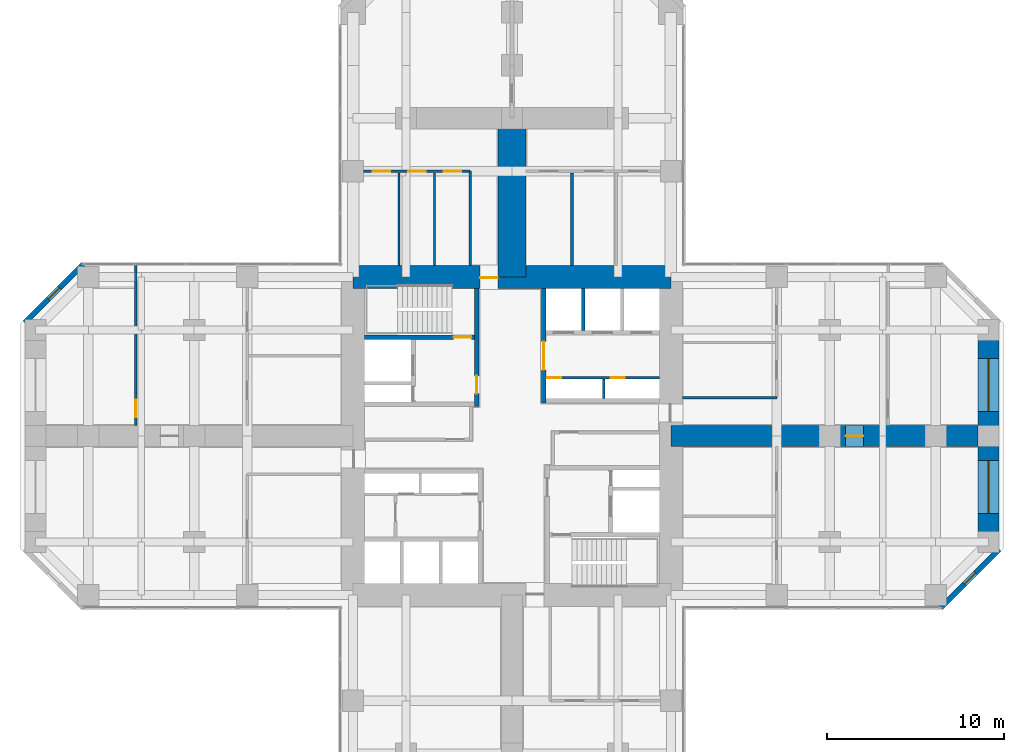
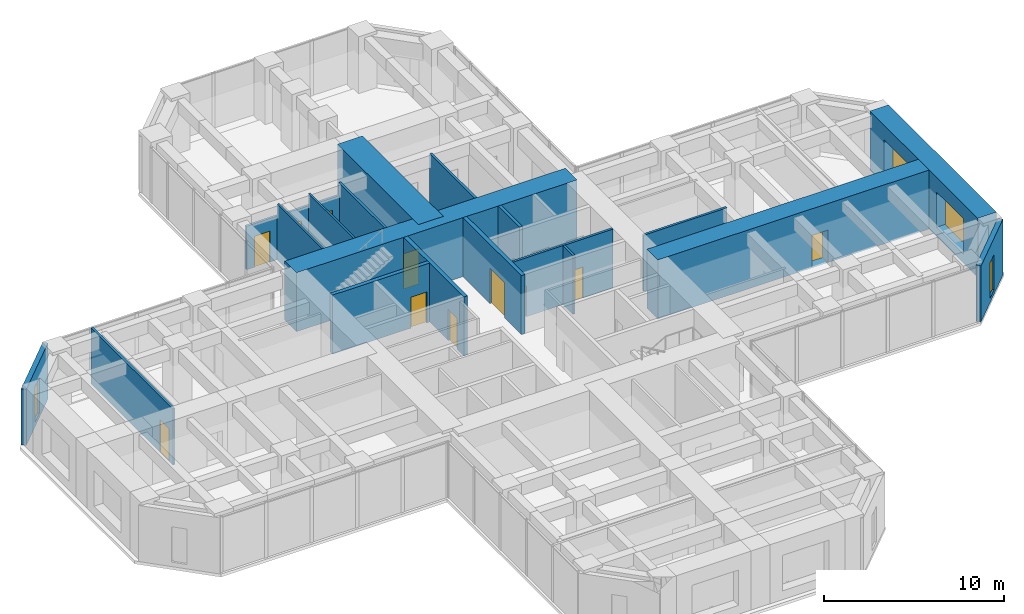
# One storey, part 10 of 12: 19 walls, 11 doors, 4 windows, 15 openings.
"""IFC4 building model written with IfcOpenShell, lengths in metres."""

from ifc_helpers import new_model, si_unit, direction, frame, frame_2d, origin, place, context, subcontext, project, spatial, rectangle, hollow_rectangle, extrude, material, layer, layer_set, constituent, constituent_set, type_object, element, fill, save


model = new_model("IFC4")

# Units and contexts
model_context = context("Model", 3, precision=1e-05, world=origin(), true_north=direction((0.0, 1.0)))
body_context = subcontext(model_context, "Body", "Model", "MODEL_VIEW")
ifc_project = project(units=[si_unit("LENGTHUNIT", "METRE"), si_unit("AREAUNIT", "SQUARE_METRE"), si_unit("VOLUMEUNIT", "CUBIC_METRE"), si_unit("PLANEANGLEUNIT", "RADIAN"), si_unit("MASSUNIT", "GRAM", prefix="KILO")], contexts=[model_context])

# Site, building, storey
site_placement = place(None, origin())
site = spatial("IfcSite", under=ifc_project, at=site_placement, CompositionType="ELEMENT")
building_placement = place(site_placement, origin())
building = spatial("IfcBuilding", under=site, at=building_placement, Name="Torre Cruceta", CompositionType="ELEMENT")
storey_placement = place(building_placement, frame((0.0, 0.0, 83.5)))
storey = spatial("IfcBuildingStorey", under=building, at=storey_placement, Name="L20", CompositionType="ELEMENT", Elevation=83.5)

# Wall, opening, door
ifc_material_1 = material(Name="Concrete G60 (fck 60 MPa)", Category="concrete")
ifc_layer_1 = layer(ifc_material_1, 0.25)
ifc_layer_set_1 = layer_set([ifc_layer_1], Name="Concrete G60 (fck 60 MPa)")
wall_type_1 = type_object("IfcWallType", Name="CORE INNER WALL 250 G60", PredefinedType="SHEAR", material=ifc_layer_set_1)
wall_1_placement = place(storey_placement, frame((1.800048828125, 1.875, 0.0), z_axis=(0.0, 0.0, 1.0), x_axis=(0.0, 1.0, 0.0)))
wall_1 = element("IfcWall", 1, at=wall_1_placement, inside=storey, type_object=wall_type_1, Name="CW4 L20 NE-CU", PredefinedType="SHEAR", context=body_context, shape_type="SweptSolid", body=[
    extrude(rectangle(XDim=6.47509765625, YDim=0.25, at=frame_2d((3.237548828125, 0.0))), origin(), (0.0, 0.0, 1.0), 4.0),
])
opening_1_placement = place(wall_1_placement, frame((1.875, 0.0, 0.0)))
opening_1 = element("IfcOpeningElement", 2, at=opening_1_placement, cuts=wall_1, Name="Opening D8", PredefinedType="OPENING", context=body_context, shape_type="SweptSolid", body=[
    extrude(rectangle(XDim=1.60009765625, YDim=2.39990234375, at=frame_2d((0.800048828125, 1.199951171875))), frame((0.0, 0.135009765625, 0.0), z_axis=(0.0, -1.0, 0.0), x_axis=(1.0, 0.0, 0.0)), (0.0, 0.0, 1.0), 0.27001953125),
])
ifc_material_2 = material(Name="Steel DX51D", Category="steel")
ifc_constituent_1 = constituent(ifc_material_2, Name="Leaf and frame")
ifc_material_3 = material(Name="Polyester powder coating", Category="paint")
ifc_constituent_2 = constituent(ifc_material_3, Name="Finish")
ifc_material_4 = material(Name="Fire-resisting glass", Category="glass")
ifc_constituent_3 = constituent(ifc_material_4, Name="Vision panel")
ifc_constituent_set_1 = constituent_set(constituents=[ifc_constituent_1, ifc_constituent_2, ifc_constituent_3], Name="Steel fire door with vision panels")
door_type_1 = type_object("IfcDoorType", Name="LIFT LOBBY DOUBLE DOOR 1600X2400", OperationType="DOUBLE_DOOR_DOUBLE_SWING", PredefinedType="DOOR", material=ifc_constituent_set_1)
door_1_placement = place(opening_1_placement, origin())
door_1 = element("IfcDoor", 3, at=door_1_placement, inside=storey, type_object=door_type_1, Name="D8 L20 NE-LOBBY", OperationType="DOUBLE_DOOR_DOUBLE_SWING", OverallHeight=2.39990234375, OverallWidth=1.60009765625, PredefinedType="DOOR", context=body_context, shape_type="SweptSolid", body=[
    extrude(rectangle(XDim=1.60009765625, YDim=2.39990234375, at=frame_2d((0.800048828125, 1.199951171875))), frame((0.0, 0.02490234375, 0.0), z_axis=(0.0, -1.0, 0.0), x_axis=(1.0, 0.0, 0.0)), (0.0, 0.0, 1.0), 0.050048828125),
])
fill(opening_1, door_1)

wall_2_placement = place(storey_placement, frame((-2.0, 1.675048828125, 0.0), z_axis=(0.0, 0.0, 1.0), x_axis=(0.0, 1.0, 0.0)))
wall_2 = element("IfcWall", 4, at=wall_2_placement, inside=storey, type_object=wall_type_1, Name="CW4 L20 NW-CU", PredefinedType="SHEAR", context=body_context, shape_type="SweptSolid", body=[
    extrude(rectangle(XDim=6.675048828125, YDim=0.25, at=frame_2d((3.33740234375, 0.0))), origin(), (0.0, 0.0, 1.0), 4.0),
])
opening_2_placement = place(wall_2_placement, frame((0.72509765625, 0.0, 0.0)))
opening_2 = element("IfcOpeningElement", 5, at=opening_2_placement, cuts=wall_2, Name="Opening D3", PredefinedType="OPENING", context=body_context, shape_type="SweptSolid", body=[
    extrude(rectangle(XDim=1.0, YDim=2.10009765625, at=frame_2d((0.5, 1.050048828125))), frame((0.0, 0.135009765625, 0.0), z_axis=(0.0, -1.0, 0.0), x_axis=(1.0, 0.0, 0.0)), (0.0, 0.0, 1.0), 0.27001953125),
])
ifc_material_5 = material(Name="Steel DX51D", Category="steel")
ifc_constituent_4 = constituent(ifc_material_5, Name="Leaf and frame")
ifc_material_6 = material(Name="Polyester powder coating", Category="paint")
ifc_constituent_5 = constituent(ifc_material_6, Name="Finish")
ifc_constituent_set_2 = constituent_set(constituents=[ifc_constituent_4, ifc_constituent_5], Name="Steel fire door")
door_type_2 = type_object("IfcDoorType", Name="FIRE DOOR 1000X2100", OperationType="SINGLE_SWING_LEFT", PredefinedType="DOOR", material=ifc_constituent_set_2)
door_2_placement = place(opening_2_placement, origin())
door_2 = element("IfcDoor", 6, at=door_2_placement, inside=storey, type_object=door_type_2, Name="D3 L20 NW-LOBBY", OperationType="SINGLE_SWING_LEFT", OverallHeight=2.10009765625, OverallWidth=1.0, PredefinedType="DOOR", context=body_context, shape_type="SweptSolid", body=[
    extrude(rectangle(XDim=1.0, YDim=2.10009765625, at=frame_2d((0.5, 1.050048828125))), frame((0.0, 0.02490234375, 0.0), z_axis=(0.0, -1.0, 0.0), x_axis=(1.0, 0.0, 0.0)), (0.0, 0.0, 1.0), 0.050048828125),
])
fill(opening_2, door_2)

wall_3_placement = place(storey_placement, frame((-2.125, 5.60009765625, 0.0), z_axis=(0.0, 0.0, 1.0), x_axis=(-1.0, 0.0, 0.0)))
wall_3 = element("IfcWall", 7, at=wall_3_placement, inside=storey, type_object=wall_type_1, Name="CW4 L20 NW-SV", PredefinedType="SHEAR", context=body_context, shape_type="SweptSolid", body=[
    extrude(rectangle(XDim=6.22509765625, YDim=0.25, at=frame_2d((3.112548828125, 0.0))), origin(), (0.0, 0.0, 1.0), 4.0),
])
opening_3_placement = place(wall_3_placement, frame((0.175048828125, 0.0, 0.0)))
opening_3 = element("IfcOpeningElement", 8, at=opening_3_placement, cuts=wall_3, Name="Opening D3", PredefinedType="OPENING", context=body_context, shape_type="SweptSolid", body=[
    extrude(rectangle(XDim=1.0, YDim=2.10009765625, at=frame_2d((0.5, 1.050048828125))), frame((0.0, 0.135009765625, 0.0), z_axis=(0.0, -1.0, 0.0), x_axis=(1.0, 0.0, 0.0)), (0.0, 0.0, 1.0), 0.27001953125),
])
door_3_placement = place(opening_3_placement, frame((1.0, 0.0, 0.0), z_axis=(0.0, 0.0, 1.0), x_axis=(-1.0, 0.0, 0.0)))
door_3 = element("IfcDoor", 9, at=door_3_placement, inside=storey, type_object=door_type_2, Name="D3 L20 NW-STAIR", OperationType="SINGLE_SWING_RIGHT", OverallHeight=2.10009765625, OverallWidth=1.0, PredefinedType="DOOR", context=body_context, shape_type="SweptSolid", body=[
    extrude(rectangle(XDim=1.0, YDim=2.10009765625, at=frame_2d((0.5, 1.050048828125))), frame((0.0, 0.025146484375, 0.0), z_axis=(0.0, -1.0, 0.0), x_axis=(1.0, 0.0, 0.0)), (0.0, 0.0, 1.0), 0.050048828125),
])
fill(opening_3, door_3)

ifc_material_7 = material(Name="Concrete G60 (fck 60 MPa)", Category="concrete")
ifc_layer_2 = layer(ifc_material_7, 1.300048828125)
ifc_layer_set_2 = layer_set([ifc_layer_2], Name="Concrete G60 (fck 60 MPa)")
wall_type_2 = type_object("IfcWallType", Name="CORE WALL 1300 G60", PredefinedType="SHEAR", material=ifc_layer_set_2)
wall_4_placement = place(storey_placement, frame((9.0, 9.0, 0.0), z_axis=(0.0, 0.0, 1.0), x_axis=(-1.0, 0.0, 0.0)))
wall_4 = element("IfcWall", 10, at=wall_4_placement, inside=storey, type_object=wall_type_2, Name="CW1 L20 CW-N", PredefinedType="SHEAR", context=body_context, shape_type="SweptSolid", body=[
    extrude(rectangle(XDim=18.0, YDim=1.300048828125, at=frame_2d((9.0, 0.0))), origin(), (0.0, 0.0, 1.0), 4.0),
])
opening_4_placement = place(wall_4_placement, frame((9.800048828125, 0.0, 0.0)))
opening_4 = element("IfcOpeningElement", 11, at=opening_4_placement, cuts=wall_4, Name="Opening D4", PredefinedType="OPENING", context=body_context, shape_type="SweptSolid", body=[
    extrude(rectangle(XDim=1.0, YDim=2.39990234375, at=frame_2d((0.5, 1.199951171875))), frame((0.0, 0.659912109375, 0.0), z_axis=(0.0, -1.0, 0.0), x_axis=(1.0, 0.0, 0.0)), (0.0, 0.0, 1.0), 1.320068359375),
])
ifc_material_8 = material(Name="Steel DX51D", Category="steel")
ifc_constituent_6 = constituent(ifc_material_8, Name="Leaf and frame")
ifc_material_9 = material(Name="Polyester powder coating", Category="paint")
ifc_constituent_7 = constituent(ifc_material_9, Name="Finish")
ifc_constituent_set_3 = constituent_set(constituents=[ifc_constituent_6, ifc_constituent_7], Name="Steel fire door")
door_type_3 = type_object("IfcDoorType", Name="CORE ARM DOOR 1000X2400", OperationType="SINGLE_SWING_RIGHT", PredefinedType="DOOR", material=ifc_constituent_set_3)
door_4_placement = place(opening_4_placement, frame((1.0, 0.0, 0.0), z_axis=(0.0, 0.0, 1.0), x_axis=(-1.0, 0.0, 0.0)))
door_4 = element("IfcDoor", 12, at=door_4_placement, inside=storey, type_object=door_type_3, Name="D4 L20 CW-N", OperationType="SINGLE_SWING_RIGHT", OverallHeight=2.39990234375, OverallWidth=1.0, PredefinedType="DOOR", context=body_context, shape_type="SweptSolid", body=[
    extrude(rectangle(XDim=1.0, YDim=2.39990234375, at=frame_2d((0.5, 1.199951171875))), frame((0.0, -0.005126953125, 0.0), z_axis=(0.0, -1.0, 0.0), x_axis=(1.0, 0.0, 0.0)), (0.0, 0.0, 1.0), 0.050048828125),
])
fill(opening_4, door_4)

# Wall, opening, window
ifc_material_10 = material(Name="Concrete G30 (fck 30 MPa)", Category="concrete")
ifc_layer_3 = layer(ifc_material_10, 0.300048828125)
ifc_layer_set_3 = layer_set([ifc_layer_3], Name="Concrete G30 (fck 30 MPa)")
wall_type_3 = type_object("IfcWallType", Name="EXPOSED CONCRETE FACADE WALL 300", PredefinedType="SOLIDWALL", material=ifc_layer_set_3)
wall_5_placement = place(storey_placement, frame((24.29833984375, -9.719970703125, 0.0), z_axis=(0.0, 0.0, 1.0), x_axis=(0.707106781187, 0.707106781187, 0.0)))
wall_5 = element("IfcWall", 13, at=wall_5_placement, inside=storey, type_object=wall_type_3, Name="EW1 facade wall L20 E chamfer 01", PredefinedType="SOLIDWALL", context=body_context, shape_type="SweptSolid", body=[
    extrude(rectangle(XDim=4.66943359375, YDim=0.300048828125, at=frame_2d((2.334716796875, 0.0))), origin(), (0.0, 0.0, 1.0), 3.800048828125),
])
opening_5_placement = place(wall_5_placement, frame((1.884765625, 0.0, 0.300048828125)))
opening_5 = element("IfcOpeningElement", 14, at=opening_5_placement, cuts=wall_5, Name="Opening WN5", PredefinedType="OPENING", context=body_context, shape_type="SweptSolid", body=[
    extrude(rectangle(XDim=0.89990234375, YDim=2.39990234375, at=frame_2d((0.449951171875, 1.199951171875))), frame((0.0, 0.159912109375, 0.0), z_axis=(0.0, -1.0, 0.0), x_axis=(1.0, 0.0, 0.0)), (0.0, 0.0, 1.0), 0.320068359375),
])
ifc_material_11 = material(Name="Aluminium window frame", Category="aluminium")
ifc_constituent_8 = constituent(ifc_material_11, Name="Frame")
ifc_material_12 = material(Name="Laminated insulating glass unit, low-iron clear", Category="glass")
ifc_constituent_9 = constituent(ifc_material_12, Name="Glazing")
ifc_constituent_set_4 = constituent_set(constituents=[ifc_constituent_8, ifc_constituent_9], Name="Aluminium window")
window_type_1 = type_object("IfcWindowType", Name="CHAMFER SLOT WINDOW 900X2400", PartitioningType="SINGLE_PANEL", PredefinedType="WINDOW", material=ifc_constituent_set_4)
window_1_placement = place(opening_5_placement, origin())
window_1 = element("IfcWindow", 15, at=window_1_placement, inside=storey, type_object=window_type_1, Name="WN5 L20 E 1", OverallHeight=2.39990234375, OverallWidth=0.89990234375, PartitioningType="SINGLE_PANEL", PredefinedType="WINDOW", context=body_context, shape_type="SweptSolid", body=[
    extrude(hollow_rectangle(XDim=0.89990234375, YDim=2.39990234375, WallThickness=0.06005859375, at=frame_2d((0.449951171875, 1.199951171875))), frame((0.0, 0.030029296875, 0.0), z_axis=(0.0, -1.0, 0.0), x_axis=(1.0, 0.0, 0.0)), (0.0, 0.0, 1.0), 0.06005859375),
    extrude(rectangle(XDim=0.77880859375, YDim=2.27880859375, at=frame_2d((0.449951171875, 1.199951171875))), frame((0.0, 0.030029296875, 0.0), z_axis=(0.0, -1.0, 0.0), x_axis=(1.0, 0.0, 0.0)), (0.0, 0.0, 1.0), 0.06005859375),
])
fill(opening_5, window_1)

wall_6_placement = place(storey_placement, frame((-24.29833984375, 9.719970703125, 0.0), z_axis=(0.0, 0.0, 1.0), x_axis=(-0.707106781187, -0.707106781187, 0.0)))
wall_6 = element("IfcWall", 16, at=wall_6_placement, inside=storey, type_object=wall_type_3, Name="EW1 facade wall L20 W chamfer 11", PredefinedType="SOLIDWALL", context=body_context, shape_type="SweptSolid", body=[
    extrude(rectangle(XDim=4.66943359375, YDim=0.300048828125, at=frame_2d((2.334716796875, 0.0))), origin(), (0.0, 0.0, 1.0), 3.800048828125),
])
opening_6_placement = place(wall_6_placement, frame((1.884765625, 0.0, 0.300048828125)))
opening_6 = element("IfcOpeningElement", 17, at=opening_6_placement, cuts=wall_6, Name="Opening WN5", PredefinedType="OPENING", context=body_context, shape_type="SweptSolid", body=[
    extrude(rectangle(XDim=0.89990234375, YDim=2.39990234375, at=frame_2d((0.449951171875, 1.199951171875))), frame((0.0, 0.159912109375, 0.0), z_axis=(0.0, -1.0, 0.0), x_axis=(1.0, 0.0, 0.0)), (0.0, 0.0, 1.0), 0.320068359375),
])
window_2_placement = place(opening_6_placement, origin())
window_2 = element("IfcWindow", 18, at=window_2_placement, inside=storey, type_object=window_type_1, Name="WN5 L20 W 1", OverallHeight=2.39990234375, OverallWidth=0.89990234375, PartitioningType="SINGLE_PANEL", PredefinedType="WINDOW", context=body_context, shape_type="SweptSolid", body=[
    extrude(hollow_rectangle(XDim=0.89990234375, YDim=2.39990234375, WallThickness=0.06005859375, at=frame_2d((0.449951171875, 1.199951171875))), frame((0.0, 0.030029296875, 0.0), z_axis=(0.0, -1.0, 0.0), x_axis=(1.0, 0.0, 0.0)), (0.0, 0.0, 1.0), 0.06005859375),
    extrude(rectangle(XDim=0.77880859375, YDim=2.27880859375, at=frame_2d((0.449951171875, 1.199951171875))), frame((0.0, 0.030029296875, 0.0), z_axis=(0.0, -1.0, 0.0), x_axis=(1.0, 0.0, 0.0)), (0.0, 0.0, 1.0), 0.06005859375),
])
fill(opening_6, window_2)

# Wall
ifc_material_13 = material(Name="Concrete G35 (fck 35 MPa)", Category="concrete")
ifc_layer_4 = layer(ifc_material_13, 0.199951171875)
ifc_layer_set_4 = layer_set([ifc_layer_4], Name="Concrete G35 (fck 35 MPa)")
wall_type_4 = type_object("IfcWallType", Name="LIFT SHAFT WALL 200", PredefinedType="PARTITIONING", material=ifc_layer_set_4)
wall_7_placement = place(storey_placement, frame((4.033447265625, 5.97509765625, 0.0), z_axis=(0.0, 0.0, 1.0), x_axis=(0.0, 1.0, 0.0)))
element("IfcWall", 19, at=wall_7_placement, inside=storey, type_object=wall_type_4, Name="SW1 L20 NE-LS1", PredefinedType="PARTITIONING", context=body_context, shape_type="SweptSolid", body=[
    extrude(rectangle(XDim=2.375, YDim=0.199951171875, at=frame_2d((1.1875, 0.0))), origin(), (0.0, 0.0, 1.0), 4.0),
])

# Wall, openings, windows
ifc_material_14 = material(Name="Concrete G60 (fck 60 MPa)", Category="concrete")
ifc_layer_5 = layer(ifc_material_14, 1.199951171875)
ifc_layer_set_5 = layer_set([ifc_layer_5], Name="Concrete G60 (fck 60 MPa)")
wall_type_5 = type_object("IfcWallType", Name="NOSE WALL 1200 G60", PredefinedType="SHEAR", material=ifc_layer_set_5)
wall_8_placement = place(storey_placement, frame((27.0, -6.0, 0.0), z_axis=(0.0, 0.0, 1.0), x_axis=(0.0, 1.0, 0.0)))
wall_8 = element("IfcWall", 20, at=wall_8_placement, inside=storey, type_object=wall_type_5, Name="NW1 nose wall L20 E", PredefinedType="SHEAR", context=body_context, shape_type="SweptSolid", body=[
    extrude(rectangle(XDim=12.0, YDim=1.199951171875, at=frame_2d((6.0, 0.0))), origin(), (0.0, 0.0, 1.0), 4.0),
])
opening_7_placement = place(wall_8_placement, frame((1.60009765625, 0.0, 0.60009765625)))
opening_7 = element("IfcOpeningElement", 21, at=opening_7_placement, cuts=wall_8, Name="Opening WN6", PredefinedType="OPENING", context=body_context, shape_type="SweptSolid", body=[
    extrude(rectangle(XDim=3.0, YDim=2.39990234375, at=frame_2d((1.5, 1.199951171875))), frame((0.0, 0.60986328125, 0.0), z_axis=(0.0, -1.0, 0.0), x_axis=(1.0, 0.0, 0.0)), (0.0, 0.0, 1.0), 1.219970703125),
])
opening_8_placement = place(wall_8_placement, frame((7.39990234375, 0.0, 0.60009765625)))
opening_8 = element("IfcOpeningElement", 22, at=opening_8_placement, cuts=wall_8, Name="Opening WN6", PredefinedType="OPENING", context=body_context, shape_type="SweptSolid", body=[
    extrude(rectangle(XDim=3.0, YDim=2.39990234375, at=frame_2d((1.5, 1.199951171875))), frame((0.0, 0.60986328125, 0.0), z_axis=(0.0, -1.0, 0.0), x_axis=(1.0, 0.0, 0.0)), (0.0, 0.0, 1.0), 1.219970703125),
])
ifc_material_15 = material(Name="Aluminium window frame", Category="aluminium")
ifc_constituent_10 = constituent(ifc_material_15, Name="Frame")
ifc_material_16 = material(Name="Laminated insulating glass unit, low-iron clear", Category="glass")
ifc_constituent_11 = constituent(ifc_material_16, Name="Glazing")
ifc_constituent_set_5 = constituent_set(constituents=[ifc_constituent_10, ifc_constituent_11], Name="Aluminium window")
window_type_2 = type_object("IfcWindowType", Name="NOSE WALL WINDOW 3000X2400", PartitioningType="SINGLE_PANEL", PredefinedType="WINDOW", material=ifc_constituent_set_5)
window_3_placement = place(opening_7_placement, origin())
window_3 = element("IfcWindow", 23, at=window_3_placement, inside=storey, type_object=window_type_2, Name="WN6 L20 E 1", OverallHeight=2.39990234375, OverallWidth=3.0, PartitioningType="SINGLE_PANEL", PredefinedType="WINDOW", context=body_context, shape_type="SweptSolid", body=[
    extrude(hollow_rectangle(XDim=3.0, YDim=2.39990234375, WallThickness=0.06005859375, at=frame_2d((1.5, 1.199951171875))), frame((0.0, 0.030029296875, 0.0), z_axis=(0.0, -1.0, 0.0), x_axis=(1.0, 0.0, 0.0)), (0.0, 0.0, 1.0), 0.06005859375),
    extrude(rectangle(XDim=2.87890625, YDim=2.27880859375, at=frame_2d((1.5, 1.199951171875))), frame((0.0, 0.030029296875, 0.0), z_axis=(0.0, -1.0, 0.0), x_axis=(1.0, 0.0, 0.0)), (0.0, 0.0, 1.0), 0.06005859375),
])
fill(opening_7, window_3)
window_4_placement = place(opening_8_placement, origin())
window_4 = element("IfcWindow", 24, at=window_4_placement, inside=storey, type_object=window_type_2, Name="WN6 L20 E 2", OverallHeight=2.39990234375, OverallWidth=3.0, PartitioningType="SINGLE_PANEL", PredefinedType="WINDOW", context=body_context, shape_type="SweptSolid", body=[
    extrude(hollow_rectangle(XDim=3.0, YDim=2.39990234375, WallThickness=0.06005859375, at=frame_2d((1.5, 1.199951171875))), frame((0.0, 0.030029296875, 0.0), z_axis=(0.0, -1.0, 0.0), x_axis=(1.0, 0.0, 0.0)), (0.0, 0.0, 1.0), 0.06005859375),
    extrude(rectangle(XDim=2.87890625, YDim=2.27880859375, at=frame_2d((1.5, 1.199951171875))), frame((0.0, 0.030029296875, 0.0), z_axis=(0.0, -1.0, 0.0), x_axis=(1.0, 0.0, 0.0)), (0.0, 0.0, 1.0), 0.06005859375),
])
fill(opening_8, window_4)

# Wall, openings, doors
ifc_material_17 = material(Name="Plasterboard on steel studs", Category="steel")
ifc_layer_6 = layer(ifc_material_17, 0.14990234375)
ifc_layer_set_6 = layer_set([ifc_layer_6], Name="Plasterboard on steel studs")
wall_type_6 = type_object("IfcWallType", Name="PARTITION 150", PredefinedType="PARTITIONING", material=ifc_layer_set_6)
wall_9_placement = place(storey_placement, frame((-2.375, 15.0, 0.0), z_axis=(0.0, 0.0, 1.0), x_axis=(-1.0, 0.0, 0.0)))
wall_9 = element("IfcWall", 25, at=wall_9_placement, inside=storey, type_object=wall_type_6, Name="PT1 L20-N-BFL", PredefinedType="PARTITIONING", context=body_context, shape_type="SweptSolid", body=[
    extrude(rectangle(XDim=6.02490234375, YDim=0.14990234375, at=frame_2d((3.012451171875, 0.0))), origin(), (0.0, 0.0, 1.0), 2.949951171875),
])
opening_9_placement = place(wall_9_placement, frame((0.504150390625, 0.0, 0.0)))
opening_9 = element("IfcOpeningElement", 26, at=opening_9_placement, cuts=wall_9, Name="Opening D3", PredefinedType="OPENING", context=body_context, shape_type="SweptSolid", body=[
    extrude(rectangle(XDim=1.0, YDim=2.10009765625, at=frame_2d((0.5, 1.050048828125))), frame((0.0, 0.0849609375, 0.0), z_axis=(0.0, -1.0, 0.0), x_axis=(1.0, 0.0, 0.0)), (0.0, 0.0, 1.0), 0.169921875),
])
opening_10_placement = place(wall_9_placement, frame((2.512451171875, 0.0, 0.0)))
opening_10 = element("IfcOpeningElement", 27, at=opening_10_placement, cuts=wall_9, Name="Opening D3", PredefinedType="OPENING", context=body_context, shape_type="SweptSolid", body=[
    extrude(rectangle(XDim=1.0, YDim=2.10009765625, at=frame_2d((0.5, 1.050048828125))), frame((0.0, 0.0849609375, 0.0), z_axis=(0.0, -1.0, 0.0), x_axis=(1.0, 0.0, 0.0)), (0.0, 0.0, 1.0), 0.169921875),
])
opening_11_placement = place(wall_9_placement, frame((4.520751953125, 0.0, 0.0)))
opening_11 = element("IfcOpeningElement", 28, at=opening_11_placement, cuts=wall_9, Name="Opening D3", PredefinedType="OPENING", context=body_context, shape_type="SweptSolid", body=[
    extrude(rectangle(XDim=1.0, YDim=2.10009765625, at=frame_2d((0.5, 1.050048828125))), frame((0.0, 0.0849609375, 0.0), z_axis=(0.0, -1.0, 0.0), x_axis=(1.0, 0.0, 0.0)), (0.0, 0.0, 1.0), 0.169921875),
])
door_5_placement = place(opening_9_placement, origin())
door_5 = element("IfcDoor", 29, at=door_5_placement, inside=storey, type_object=door_type_2, Name="D3 L20-N-BFL-D1", OperationType="SINGLE_SWING_LEFT", OverallHeight=2.10009765625, OverallWidth=1.0, PredefinedType="DOOR", context=body_context, shape_type="SweptSolid", body=[
    extrude(rectangle(XDim=1.0, YDim=2.10009765625, at=frame_2d((0.5, 1.050048828125))), frame((0.0, 0.02490234375, 0.0), z_axis=(0.0, -1.0, 0.0), x_axis=(1.0, 0.0, 0.0)), (0.0, 0.0, 1.0), 0.050048828125),
])
fill(opening_9, door_5)
door_6_placement = place(opening_10_placement, origin())
door_6 = element("IfcDoor", 30, at=door_6_placement, inside=storey, type_object=door_type_2, Name="D3 L20-N-BFL-D2", OperationType="SINGLE_SWING_LEFT", OverallHeight=2.10009765625, OverallWidth=1.0, PredefinedType="DOOR", context=body_context, shape_type="SweptSolid", body=[
    extrude(rectangle(XDim=1.0, YDim=2.10009765625, at=frame_2d((0.5, 1.050048828125))), frame((0.0, 0.02490234375, 0.0), z_axis=(0.0, -1.0, 0.0), x_axis=(1.0, 0.0, 0.0)), (0.0, 0.0, 1.0), 0.050048828125),
])
fill(opening_10, door_6)
door_7_placement = place(opening_11_placement, origin())
door_7 = element("IfcDoor", 31, at=door_7_placement, inside=storey, type_object=door_type_2, Name="D3 L20-N-BFL-D3", OperationType="SINGLE_SWING_LEFT", OverallHeight=2.10009765625, OverallWidth=1.0, PredefinedType="DOOR", context=body_context, shape_type="SweptSolid", body=[
    extrude(rectangle(XDim=1.0, YDim=2.10009765625, at=frame_2d((0.5, 1.050048828125))), frame((0.0, 0.02490234375, 0.0), z_axis=(0.0, -1.0, 0.0), x_axis=(1.0, 0.0, 0.0)), (0.0, 0.0, 1.0), 0.050048828125),
])
fill(opening_11, door_7)

# Walls
wall_10_placement = place(storey_placement, frame((-2.375, 9.64990234375, 0.0), z_axis=(0.0, 0.0, 1.0), x_axis=(0.0, 1.0, 0.0)))
element("IfcWall", 32, at=wall_10_placement, inside=storey, type_object=wall_type_6, Name="PT1 L20-N-BSL", PredefinedType="PARTITIONING", context=body_context, shape_type="SweptSolid", body=[
    extrude(rectangle(XDim=5.35009765625, YDim=0.14990234375, at=frame_2d((2.675048828125, 0.0))), origin(), (0.0, 0.0, 1.0), 3.800048828125),
])
wall_11_placement = place(storey_placement, frame((3.39990234375, 9.64990234375, 0.0), z_axis=(0.0, 0.0, 1.0), x_axis=(0.0, 1.0, 0.0)))
element("IfcWall", 33, at=wall_11_placement, inside=storey, type_object=wall_type_6, Name="PT1 L20-N-BDR1", PredefinedType="PARTITIONING", context=body_context, shape_type="SweptSolid", body=[
    extrude(rectangle(XDim=5.25, YDim=0.14990234375, at=frame_2d((2.625, 0.0))), origin(), (0.0, 0.0, 1.0), 3.800048828125),
])
wall_12_placement = place(storey_placement, frame((9.64990234375, 2.175048828125, 0.0), z_axis=(0.0, 0.0, 1.0), x_axis=(1.0, 0.0, 0.0)))
element("IfcWall", 34, at=wall_12_placement, inside=storey, type_object=wall_type_6, Name="PT1 L20-E-BSL", PredefinedType="PARTITIONING", context=body_context, shape_type="SweptSolid", body=[
    extrude(rectangle(XDim=5.35009765625, YDim=0.14990234375, at=frame_2d((2.675048828125, 0.0))), origin(), (0.0, 0.0, 1.0), 3.800048828125),
])

# Wall, opening, door
wall_13_placement = place(storey_placement, frame((-21.320068359375, 9.679931640625, 0.0), z_axis=(0.0, 0.0, 1.0), x_axis=(0.0, -1.0, 0.0)))
wall_13 = element("IfcWall", 35, at=wall_13_placement, inside=storey, type_object=wall_type_6, Name="PT1 L20-W-TWR", PredefinedType="PARTITIONING", context=body_context, shape_type="SweptSolid", body=[
    extrude(rectangle(XDim=9.079833984375, YDim=0.14990234375, at=frame_2d((4.5400390625, 0.0))), origin(), (0.0, 0.0, 1.0), 3.800048828125),
])
opening_12_placement = place(wall_13_placement, frame((7.6298828125, 0.0, 0.0)))
opening_12 = element("IfcOpeningElement", 36, at=opening_12_placement, cuts=wall_13, Name="Opening D14", PredefinedType="OPENING", context=body_context, shape_type="SweptSolid", body=[
    extrude(rectangle(XDim=1.0, YDim=2.199951171875, at=frame_2d((0.5, 1.10009765625))), frame((0.0, 0.0849609375, 0.0), z_axis=(0.0, -1.0, 0.0), x_axis=(1.0, 0.0, 0.0)), (0.0, 0.0, 1.0), 0.169921875),
])
ifc_material_18 = material(Name="Steel DX51D", Category="steel")
ifc_constituent_12 = constituent(ifc_material_18, Name="Leaf and frame")
ifc_material_19 = material(Name="Polyester powder coating", Category="paint")
ifc_constituent_13 = constituent(ifc_material_19, Name="Finish")
ifc_material_20 = material(Name="Fire-resisting glass", Category="glass")
ifc_constituent_14 = constituent(ifc_material_20, Name="Vision panel")
ifc_constituent_set_6 = constituent_set(constituents=[ifc_constituent_12, ifc_constituent_13, ifc_constituent_14], Name="Steel fire door with vision panel")
door_type_4 = type_object("IfcDoorType", Name="FIRE DOOR VISION PANEL 1000X2200", OperationType="SINGLE_SWING_RIGHT", PredefinedType="DOOR", material=ifc_constituent_set_6)
door_8_placement = place(opening_12_placement, frame((1.0, 0.0, 0.0), z_axis=(0.0, 0.0, 1.0), x_axis=(-1.0, 0.0, 0.0)))
door_8 = element("IfcDoor", 37, at=door_8_placement, inside=storey, type_object=door_type_4, Name="D14 L20-W-TWR-D1", OperationType="SINGLE_SWING_LEFT", OverallHeight=2.199951171875, OverallWidth=1.0, PredefinedType="DOOR", context=body_context, shape_type="SweptSolid", body=[
    extrude(rectangle(XDim=1.0, YDim=2.199951171875, at=frame_2d((0.5, 1.10009765625))), frame((0.0, 0.025146484375, 0.0), z_axis=(0.0, -1.0, 0.0), x_axis=(1.0, 0.0, 0.0)), (0.0, 0.0, 1.0), 0.050048828125),
])
fill(opening_12, door_8)

# Wall, openings, doors
ifc_material_21 = material(Name="Concrete block masonry", Category="masonry")
ifc_layer_7 = layer(ifc_material_21, 0.14990234375)
ifc_layer_set_7 = layer_set([ifc_layer_7], Name="Concrete block masonry")
wall_type_7 = type_object("IfcWallType", Name="RISER WALL 150", PredefinedType="PARTITIONING", material=ifc_layer_set_7)
wall_14_placement = place(storey_placement, frame((1.925048828125, 3.300048828125, 0.0), z_axis=(0.0, 0.0, 1.0), x_axis=(1.0, 0.0, 0.0)))
wall_14 = element("IfcWall", 38, at=wall_14_placement, inside=storey, type_object=wall_type_7, Name="SW7 L20 NE-RV", PredefinedType="PARTITIONING", context=body_context, shape_type="SweptSolid", body=[
    extrude(rectangle(XDim=6.425048828125, YDim=0.14990234375, at=frame_2d((3.21240234375, 0.0))), origin(), (0.0, 0.0, 1.0), 4.0),
])
opening_13_placement = place(wall_14_placement, frame((0.074951171875, 0.0, 0.0)))
opening_13 = element("IfcOpeningElement", 39, at=opening_13_placement, cuts=wall_14, Name="Opening D5", PredefinedType="OPENING", context=body_context, shape_type="SweptSolid", body=[
    extrude(rectangle(XDim=0.800048828125, YDim=2.10009765625, at=frame_2d((0.39990234375, 1.050048828125))), frame((0.0, 0.0849609375, 0.0), z_axis=(0.0, -1.0, 0.0), x_axis=(1.0, 0.0, 0.0)), (0.0, 0.0, 1.0), 0.169921875),
])
opening_14_placement = place(wall_14_placement, frame((3.675048828125, 0.0, 0.0)))
opening_14 = element("IfcOpeningElement", 40, at=opening_14_placement, cuts=wall_14, Name="Opening D5", PredefinedType="OPENING", context=body_context, shape_type="SweptSolid", body=[
    extrude(rectangle(XDim=0.800048828125, YDim=2.10009765625, at=frame_2d((0.39990234375, 1.050048828125))), frame((0.0, 0.0849609375, 0.0), z_axis=(0.0, -1.0, 0.0), x_axis=(1.0, 0.0, 0.0)), (0.0, 0.0, 1.0), 0.169921875),
])
ifc_material_22 = material(Name="Steel DX51D", Category="steel")
ifc_constituent_15 = constituent(ifc_material_22, Name="Leaf and frame")
ifc_material_23 = material(Name="Polyester powder coating", Category="paint")
ifc_constituent_16 = constituent(ifc_material_23, Name="Finish")
ifc_constituent_set_7 = constituent_set(constituents=[ifc_constituent_15, ifc_constituent_16], Name="Steel fire door")
door_type_5 = type_object("IfcDoorType", Name="RISER ACCESS DOOR 800X2100", OperationType="SINGLE_SWING_LEFT", PredefinedType="DOOR", material=ifc_constituent_set_7)
door_9_placement = place(opening_13_placement, frame((0.800048828125, 0.0, 0.0), z_axis=(0.0, 0.0, 1.0), x_axis=(-1.0, 0.0, 0.0)))
door_9 = element("IfcDoor", 41, at=door_9_placement, inside=storey, type_object=door_type_5, Name="D5 L20 NE-RISER1", OperationType="SINGLE_SWING_RIGHT", OverallHeight=2.10009765625, OverallWidth=0.800048828125, PredefinedType="DOOR", context=body_context, shape_type="SweptSolid", body=[
    extrude(rectangle(XDim=0.800048828125, YDim=2.10009765625, at=frame_2d((0.400146484375, 1.050048828125))), frame((0.0, 0.025146484375, 0.0), z_axis=(0.0, -1.0, 0.0), x_axis=(1.0, 0.0, 0.0)), (0.0, 0.0, 1.0), 0.050048828125),
])
fill(opening_13, door_9)
door_10_placement = place(opening_14_placement, frame((0.800048828125, 0.0, 0.0), z_axis=(0.0, 0.0, 1.0), x_axis=(-1.0, 0.0, 0.0)))
door_10 = element("IfcDoor", 42, at=door_10_placement, inside=storey, type_object=door_type_5, Name="D5 L20 NE-RISER2", OperationType="SINGLE_SWING_RIGHT", OverallHeight=2.10009765625, OverallWidth=0.800048828125, PredefinedType="DOOR", context=body_context, shape_type="SweptSolid", body=[
    extrude(rectangle(XDim=0.800048828125, YDim=2.10009765625, at=frame_2d((0.400146484375, 1.050048828125))), frame((0.0, 0.025146484375, 0.0), z_axis=(0.0, -1.0, 0.0), x_axis=(1.0, 0.0, 0.0)), (0.0, 0.0, 1.0), 0.050048828125),
])
fill(opening_14, door_10)

# Wall
wall_15_placement = place(storey_placement, frame((5.199951171875, 2.125, 0.0), z_axis=(0.0, 0.0, 1.0), x_axis=(0.0, 1.0, 0.0)))
element("IfcWall", 43, at=wall_15_placement, inside=storey, type_object=wall_type_7, Name="SW7 L20 NE-RU", PredefinedType="PARTITIONING", context=body_context, shape_type="SweptSolid", body=[
    extrude(rectangle(XDim=1.10009765625, YDim=0.14990234375, at=frame_2d((0.550048828125, 0.0))), origin(), (0.0, 0.0, 1.0), 4.0),
])

# Wall, opening, door
ifc_material_24 = material(Name="Concrete G60 (fck 60 MPa)", Category="concrete")
ifc_layer_8 = layer(ifc_material_24, 1.199951171875)
ifc_layer_set_8 = layer_set([ifc_layer_8], Name="Concrete G60 (fck 60 MPa)")
wall_type_8 = type_object("IfcWallType", Name="SPINE WALL 1200 G60", PredefinedType="SHEAR", material=ifc_layer_set_8)
wall_16_placement = place(storey_placement, frame((9.0, 0.0, 0.0), z_axis=(0.0, 0.0, 1.0), x_axis=(1.0, 0.0, 0.0)))
wall_16 = element("IfcWall", 44, at=wall_16_placement, inside=storey, type_object=wall_type_8, Name="SW3 spine wall L20 E", PredefinedType="SHEAR", context=body_context, shape_type="SweptSolid", body=[
    extrude(rectangle(XDim=18.0, YDim=1.199951171875, at=frame_2d((9.0, 0.0))), origin(), (0.0, 0.0, 1.0), 4.0),
])
opening_15_placement = place(wall_16_placement, frame((9.89990234375, 0.0, 0.0)))
opening_15 = element("IfcOpeningElement", 45, at=opening_15_placement, cuts=wall_16, Name="Opening D14", PredefinedType="OPENING", context=body_context, shape_type="SweptSolid", body=[
    extrude(rectangle(XDim=1.0, YDim=2.199951171875, at=frame_2d((0.5, 1.10009765625))), frame((0.0, 0.60986328125, 0.0), z_axis=(0.0, -1.0, 0.0), x_axis=(1.0, 0.0, 0.0)), (0.0, 0.0, 1.0), 1.219970703125),
])
door_11_placement = place(opening_15_placement, origin())
door_11 = element("IfcDoor", 46, at=door_11_placement, inside=storey, type_object=door_type_4, Name="D14 L20-E-SP1", OperationType="SINGLE_SWING_RIGHT", OverallHeight=2.199951171875, OverallWidth=1.0, PredefinedType="DOOR", context=body_context, shape_type="SweptSolid", body=[
    extrude(rectangle(XDim=1.0, YDim=2.199951171875, at=frame_2d((0.5, 1.10009765625))), frame((0.0, 0.02490234375, 0.0), z_axis=(0.0, -1.0, 0.0), x_axis=(1.0, 0.0, 0.0)), (0.0, 0.0, 1.0), 0.050048828125),
])
fill(opening_15, door_11)

# Walls
ifc_material_25 = material(Name="Concrete G60 (fck 60 MPa)", Category="concrete")
ifc_layer_9 = layer(ifc_material_25, 1.60009765625)
ifc_layer_set_9 = layer_set([ifc_layer_9], Name="Concrete G60 (fck 60 MPa)")
wall_type_9 = type_object("IfcWallType", Name="SPINE WALL 1600 G60", PredefinedType="SHEAR", material=ifc_layer_set_9)
wall_17_placement = place(storey_placement, frame((0.0, 9.0, 0.0), z_axis=(0.0, 0.0, 1.0), x_axis=(0.0, 1.0, 0.0)))
element("IfcWall", 47, at=wall_17_placement, inside=storey, type_object=wall_type_9, Name="SW2 spine wall L20 N", PredefinedType="SHEAR", context=body_context, shape_type="SweptSolid", body=[
    extrude(rectangle(XDim=9.0, YDim=1.60009765625, at=frame_2d((4.5, 0.0))), origin(), (0.0, 0.0, 1.0), 4.0),
])
ifc_material_26 = material(Name="Plasterboard on steel studs", Category="steel")
ifc_layer_10 = layer(ifc_material_26, 0.1201171875)
ifc_layer_set_10 = layer_set([ifc_layer_10], Name="Plasterboard on steel studs")
wall_type_10 = type_object("IfcWallType", Name="WC PARTITION 120", PredefinedType="PLUMBINGWALL", material=ifc_layer_set_10)
for number, where, z_axis, x_axis, name in (
    (48, (-4.38330078125, 9.64990234375, 0.0), (0.0, 0.0, 1.0), (0.0, 1.0, 0.0), "PT5 L20-N-BDL1"),
    (49, (-6.3916015625, 9.64990234375, 0.0), (0.0, 0.0, 1.0), (0.0, 1.0, 0.0), "PT5 L20-N-BDL2"),
):
    element("IfcWall", number, at=place(storey_placement, frame(where, z_axis=z_axis, x_axis=x_axis)), inside=storey, type_object=wall_type_10, Name=name, PredefinedType="PLUMBINGWALL", context=body_context, shape_type="SweptSolid", body=[
        extrude(rectangle(XDim=5.25, YDim=0.1201171875, at=frame_2d((2.625, 0.0))), origin(), (0.0, 0.0, 1.0), 3.800048828125),
    ])

save(model, "model.ifc")
